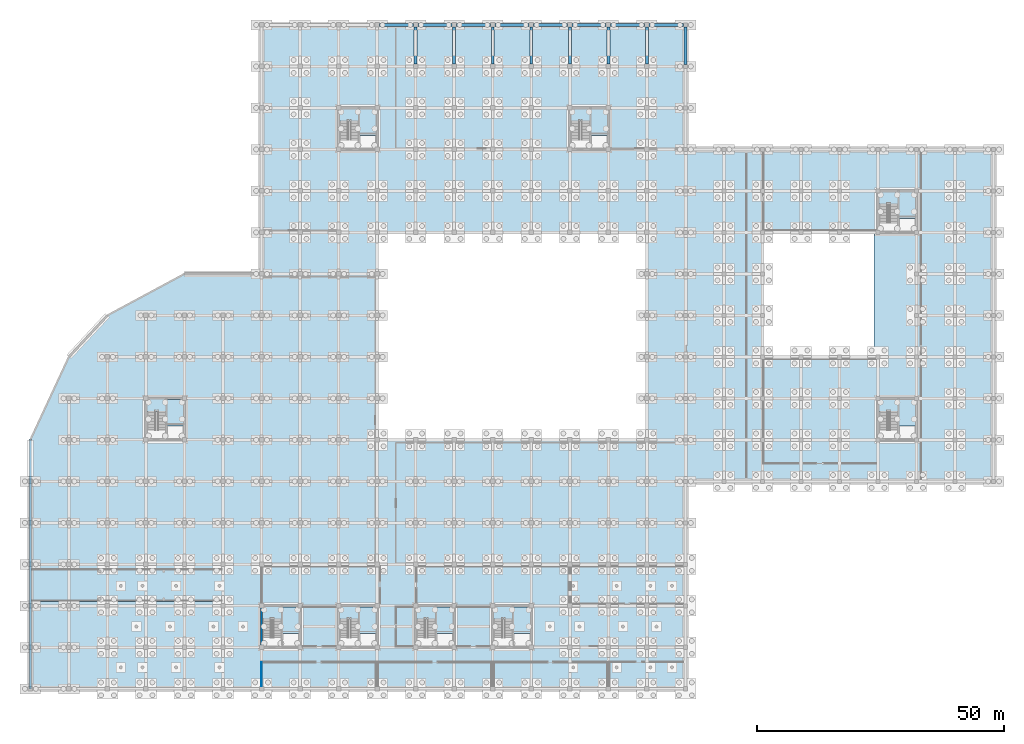
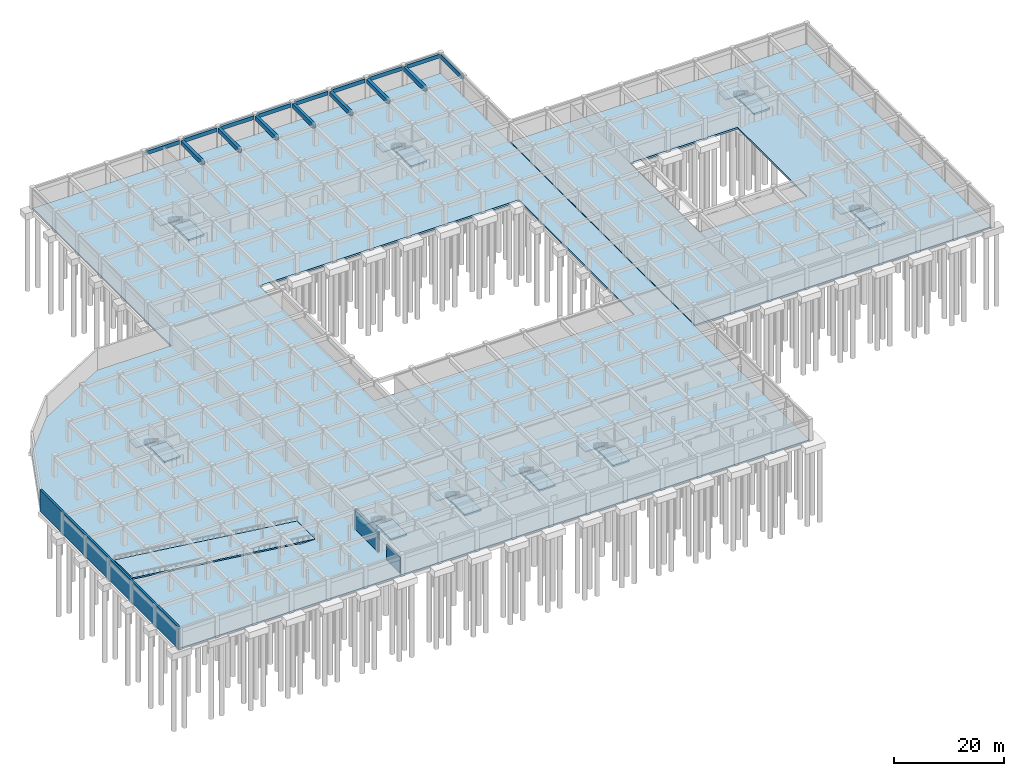
# One storey, part 16 of 31: 21 slabs, 16 beams, 3 walls, 9 elements without a shape of their own.
"""IFC4 building model written with IfcOpenShell, lengths in metres."""

from ifc_helpers import new_model, si_unit, direction, frame, frame_2d, origin, origin_2d, place, context, subcontext, project, spatial, polyline, rectangle, outline, extrude, material, layer, layer_set, material_profile, profile_set, type_object, element, aggregate, save


model = new_model("IFC4")

# Units and contexts
model_context = context("Model", 3, precision=1e-05, world=origin(), true_north=direction((0.0, 1.0)))
body_context = subcontext(model_context, "Body", "Model", "MODEL_VIEW")
ifc_project = project(units=[si_unit("LENGTHUNIT", "METRE"), si_unit("AREAUNIT", "SQUARE_METRE"), si_unit("VOLUMEUNIT", "CUBIC_METRE"), si_unit("PLANEANGLEUNIT", "RADIAN"), si_unit("MASSUNIT", "GRAM", prefix="KILO")], contexts=[model_context])

# Site, building, storey
site_placement = place(None, origin())
site = spatial("IfcSite", under=ifc_project, at=site_placement, CompositionType="ELEMENT")
building_placement = place(site_placement, origin())
building = spatial("IfcBuilding", under=site, at=building_placement, Name="Zizhar Promenade General Hospital", CompositionType="ELEMENT")
storey_placement = place(building_placement, frame((0.0, 0.0, -4.800048828125)))
storey = spatial("IfcBuildingStorey", under=building, at=storey_placement, Name="B1", CompositionType="ELEMENT", Elevation=-4.800048828125)

# Beams
ifc_material_1 = material(Name="Concrete C35/45", Category="concrete")
ifc_material_profile_1 = material_profile(ifc_material_1, rectangle(XDim=0.550048828125, YDim=0.85009765625, at=origin_2d()))
ifc_profile_set_1 = profile_set([ifc_material_profile_1], Name="Concrete C35/45")
beam_type_1 = type_object("IfcBeamType", Name="BM-RC-550x850", PredefinedType="BEAM", material=ifc_profile_set_1)
for number, where, z_axis, x_axis, name in (
    (1, (70.64990234375, 134.39990234375, 4.045166015625), (1.0, 0.0, 0.0), (0.0, 1.0, 0.0), "Grid Beam X B1 (9-16)"),
    (2, (78.449951171875, 134.39990234375, 4.045166015625), (1.0, 0.0, 0.0), (0.0, 1.0, 0.0), "Grid Beam X B1 (10-16)"),
):
    element("IfcBeam", number, at=place(storey_placement, frame(where, z_axis=z_axis, x_axis=x_axis)), inside=storey, type_object=beam_type_1, Name=name, PredefinedType="BEAM", context=body_context, shape_type="SweptSolid", body=[
        extrude(rectangle(XDim=0.550048828125, YDim=0.85009765625, at=origin_2d()), origin(), (0.0, 0.0, 1.0), 6.900146484375),
    ])
for number, where, z_axis, x_axis, name in (
    (3, (86.25, 134.39990234375, 4.045166015625), (1.0, 0.0, 0.0), (0.0, 1.0, 0.0), "Grid Beam X B1 (11-16)"),
    (4, (94.050048828125, 134.39990234375, 4.045166015625), (1.0, 0.0, 0.0), (0.0, 1.0, 0.0), "Grid Beam X B1 (12-16)"),
    (5, (101.85009765625, 134.39990234375, 4.045166015625), (1.0, 0.0, 0.0), (0.0, 1.0, 0.0), "Grid Beam X B1 (13-16)"),
):
    element("IfcBeam", number, at=place(storey_placement, frame(where, z_axis=z_axis, x_axis=x_axis)), inside=storey, type_object=beam_type_1, Name=name, PredefinedType="BEAM", context=body_context, shape_type="SweptSolid", body=[
        extrude(rectangle(XDim=0.550048828125, YDim=0.85009765625, at=origin_2d()), origin(), (0.0, 0.0, 1.0), 6.89990234375),
    ])
for number, where, z_axis, x_axis, name in (
    (6, (109.64990234375, 134.39990234375, 4.045166015625), (1.0, 0.0, 0.0), (0.0, 1.0, 0.0), "Grid Beam X B1 (14-16)"),
    (7, (117.449951171875, 134.39990234375, 4.045166015625), (1.0, 0.0, 0.0), (0.0, 1.0, 0.0), "Grid Beam X B1 (15-16)"),
):
    element("IfcBeam", number, at=place(storey_placement, frame(where, z_axis=z_axis, x_axis=x_axis)), inside=storey, type_object=beam_type_1, Name=name, PredefinedType="BEAM", context=body_context, shape_type="SweptSolid", body=[
        extrude(rectangle(XDim=0.550048828125, YDim=0.85009765625, at=origin_2d()), origin(), (0.0, 0.0, 1.0), 6.900146484375),
    ])
beam_1_placement = place(storey_placement, frame((125.25, 134.39990234375, 4.045166015625), z_axis=(1.0, 0.0, 0.0), x_axis=(0.0, 1.0, 0.0)))
element("IfcBeam", 8, at=beam_1_placement, inside=storey, type_object=beam_type_1, Name="Grid Beam X B1 (16-16)", PredefinedType="BEAM", context=body_context, shape_type="SweptSolid", body=[
    extrude(rectangle(XDim=0.550048828125, YDim=0.85009765625, at=origin_2d()), origin(), (0.0, 0.0, 1.0), 6.925048828125),
])
ifc_material_2 = material(Name="Concrete C35/45", Category="concrete")
ifc_material_profile_2 = material_profile(ifc_material_2, rectangle(XDim=0.60009765625, YDim=0.949951171875, at=origin_2d()))
ifc_profile_set_2 = profile_set([ifc_material_profile_2], Name="Concrete C35/45")
beam_type_2 = type_object("IfcBeamType", Name="BM-RC-600x950", PredefinedType="BEAM", material=ifc_profile_set_2)
for number, where, z_axis, x_axis, name in (
    (9, (78.0, 126.449951171875, 3.9951171875), (0.0, 1.0, 0.0), (-1.0, 0.0, 0.0), "Grid Beam Y B1 (10-15)"),
    (10, (85.800048828125, 126.449951171875, 3.9951171875), (0.0, 1.0, 0.0), (-1.0, 0.0, 0.0), "Grid Beam Y B1 (11-15)"),
    (11, (93.60009765625, 126.449951171875, 3.9951171875), (0.0, 1.0, 0.0), (-1.0, 0.0, 0.0), "Grid Beam Y B1 (12-15)"),
    (12, (101.39990234375, 126.449951171875, 3.9951171875), (0.0, 1.0, 0.0), (-1.0, 0.0, 0.0), "Grid Beam Y B1 (13-15)"),
    (13, (109.199951171875, 126.449951171875, 3.9951171875), (0.0, 1.0, 0.0), (-1.0, 0.0, 0.0), "Grid Beam Y B1 (14-15)"),
    (14, (117.0, 126.449951171875, 3.9951171875), (0.0, 1.0, 0.0), (-1.0, 0.0, 0.0), "Grid Beam Y B1 (15-15)"),
    (15, (124.800048828125, 126.449951171875, 3.9951171875), (0.0, 1.0, 0.0), (-1.0, 0.0, 0.0), "Grid Beam Y B1 (16-15)"),
):
    element("IfcBeam", number, at=place(storey_placement, frame(where, z_axis=z_axis, x_axis=x_axis)), inside=storey, type_object=beam_type_2, Name=name, PredefinedType="BEAM", context=body_context, shape_type="SweptSolid", body=[
        extrude(rectangle(XDim=0.60009765625, YDim=0.949951171875, at=origin_2d()), origin(), (0.0, 0.0, 1.0), 7.5),
    ])
beam_2_placement = place(storey_placement, frame((132.60009765625, 126.425048828125, 3.9951171875), z_axis=(0.0, 1.0, 0.0), x_axis=(-1.0, 0.0, 0.0)))
element("IfcBeam", 16, at=beam_2_placement, inside=storey, type_object=beam_type_2, Name="Grid Beam Y B1 (17-15)", PredefinedType="BEAM", context=body_context, shape_type="SweptSolid", body=[
    extrude(rectangle(XDim=0.60009765625, YDim=0.949951171875, at=origin_2d()), origin(), (0.0, 0.0, 1.0), 7.550048828125),
])

# Slabs
ifc_material_3 = material(Name="Concrete C30/37", Category="concrete")
ifc_layer_1 = layer(ifc_material_3, 0.39990234375)
ifc_layer_set_1 = layer_set([ifc_layer_1], Name="Concrete C30/37")
slab_type_1 = type_object("IfcSlabType", Name="SLB-BASE-400", PredefinedType="BASESLAB", material=ifc_layer_set_1)
slab_1_placement = place(storey_placement, frame((0.0, 0.0, -0.39990234375)))
element("IfcSlab", 17, at=slab_1_placement, inside=storey, type_object=slab_type_1, Name="Basement B1 Main Hospital Base Slab", PredefinedType="BASESLAB", context=body_context, shape_type="SweptSolid", body=[
    extrude(outline(polyline([(0.0, 0.0), (132.550048828125, 0.0), (132.550048828125, 134.39990234375), (46.800048828125, 134.39990234375), (46.800048828125, 84.0), (31.199951171875, 84.0), (15.60009765625, 75.60009765625), (7.800048828125, 67.199951171875), (0.0, 50.39990234375), (0.0, 0.0)]), holes=[polyline([(70.199951171875, 50.39990234375), (70.199951171875, 92.39990234375), (124.800048828125, 92.39990234375), (124.800048828125, 50.39990234375), (70.199951171875, 50.39990234375)]), polyline([(35.5, 17.64990234375), (35.5, 24.35009765625), (38.85009765625, 24.35009765625), (38.85009765625, 17.64990234375), (35.5, 17.64990234375)])]), origin(), (0.0, 0.0, 1.0), 0.39990234375),
])
slab_2_placement = place(storey_placement, frame((0.0, 0.0, -0.39990234375)))
element("IfcSlab", 18, at=slab_2_placement, inside=storey, type_object=slab_type_1, Name="Basement B1 Outpatient Wing Base Slab", PredefinedType="BASESLAB", context=body_context, shape_type="SweptSolid", body=[
    extrude(outline(polyline([(132.64990234375, 42.0), (195.0, 42.0), (195.0, 109.199951171875), (132.64990234375, 109.199951171875), (132.64990234375, 42.0)]), holes=[polyline([(148.199951171875, 67.199951171875), (148.199951171875, 92.39990234375), (170.800048828125, 92.39990234375), (170.800048828125, 67.199951171875), (148.199951171875, 67.199951171875)])]), origin(), (0.0, 0.0, 1.0), 0.39990234375),
])

# Stair, slab
ifc_material_4 = material(Name="Concrete C35/45", Category="concrete")
stair_type = type_object("IfcStairType", Name="STR-DOG-480", PredefinedType="HALF_TURN_STAIR", material=ifc_material_4)
stair_1_placement = place(storey_placement, origin())
stair_1 = element("IfcStair", 19, at=stair_1_placement, inside=storey, type_object=stair_type, Name="Exit Stair ST-01 (B1 to L00)", PredefinedType="HALF_TURN_STAIR")
ifc_material_5 = material(Name="Concrete C35/45", Category="concrete")
ifc_layer_2 = layer(ifc_material_5, 0.219970703125)
ifc_layer_set_2 = layer_set([ifc_layer_2], Name="Concrete C35/45")
slab_type_2 = type_object("IfcSlabType", Name="SLB-LAND-480", PredefinedType="LANDING", material=ifc_layer_set_2)
slab_3_placement = place(storey_placement, frame((0.0, 0.0, 2.179931640625)))
slab_3 = element("IfcSlab", 20, at=slab_3_placement, type_object=slab_type_2, Name="ST-01A landing 1", PredefinedType="LANDING", context=body_context, shape_type="SweptSolid", body=[
    extrude(outline(polyline([(23.39990234375, 56.169921875), (27.550048828125, 56.169921875), (27.550048828125, 58.800048828125), (23.39990234375, 58.800048828125), (23.39990234375, 56.169921875)])), origin(), (0.0, 0.0, 1.0), 0.22021484375),
])
aggregate(stair_1, [slab_3])

stair_2_placement = place(storey_placement, origin())
stair_2 = element("IfcStair", 21, at=stair_2_placement, inside=storey, type_object=stair_type, Name="Exit Stair ST-02 (B1 to L00)", PredefinedType="HALF_TURN_STAIR")
slab_4_placement = place(storey_placement, frame((0.0, 0.0, 2.179931640625)))
slab_4 = element("IfcSlab", 22, at=slab_4_placement, type_object=slab_type_2, Name="ST-02A landing 1", PredefinedType="LANDING", context=body_context, shape_type="SweptSolid", body=[
    extrude(outline(polyline([(46.800048828125, 14.169921875), (50.949951171875, 14.169921875), (50.949951171875, 16.800048828125), (46.800048828125, 16.800048828125), (46.800048828125, 14.169921875)])), origin(), (0.0, 0.0, 1.0), 0.22021484375),
])
aggregate(stair_2, [slab_4])

stair_3_placement = place(storey_placement, origin())
stair_3 = element("IfcStair", 23, at=stair_3_placement, inside=storey, type_object=stair_type, Name="Exit Stair ST-03 (B1 to L00)", PredefinedType="HALF_TURN_STAIR")
slab_5_placement = place(storey_placement, frame((0.0, 0.0, 2.179931640625)))
slab_5 = element("IfcSlab", 24, at=slab_5_placement, type_object=slab_type_2, Name="ST-03A landing 1", PredefinedType="LANDING", context=body_context, shape_type="SweptSolid", body=[
    extrude(outline(polyline([(62.39990234375, 14.169921875), (66.550048828125, 14.169921875), (66.550048828125, 16.800048828125), (62.39990234375, 16.800048828125), (62.39990234375, 14.169921875)])), origin(), (0.0, 0.0, 1.0), 0.22021484375),
])
aggregate(stair_3, [slab_5])

stair_4_placement = place(storey_placement, origin())
stair_4 = element("IfcStair", 25, at=stair_4_placement, inside=storey, type_object=stair_type, Name="Exit Stair ST-04 (B1 to L00)", PredefinedType="HALF_TURN_STAIR")
slab_6_placement = place(storey_placement, frame((0.0, 0.0, 2.179931640625)))
slab_6 = element("IfcSlab", 26, at=slab_6_placement, type_object=slab_type_2, Name="ST-04A landing 1", PredefinedType="LANDING", context=body_context, shape_type="SweptSolid", body=[
    extrude(outline(polyline([(78.0, 14.169921875), (82.14990234375, 14.169921875), (82.14990234375, 16.800048828125), (78.0, 16.800048828125), (78.0, 14.169921875)])), origin(), (0.0, 0.0, 1.0), 0.22021484375),
])
aggregate(stair_4, [slab_6])

stair_5_placement = place(storey_placement, origin())
stair_5 = element("IfcStair", 27, at=stair_5_placement, inside=storey, type_object=stair_type, Name="Exit Stair ST-05 (B1 to L00)", PredefinedType="HALF_TURN_STAIR")
slab_7_placement = place(storey_placement, frame((0.0, 0.0, 2.179931640625)))
slab_7 = element("IfcSlab", 28, at=slab_7_placement, type_object=slab_type_2, Name="ST-05A landing 1", PredefinedType="LANDING", context=body_context, shape_type="SweptSolid", body=[
    extrude(outline(polyline([(93.60009765625, 14.169921875), (97.75, 14.169921875), (97.75, 16.800048828125), (93.60009765625, 16.800048828125), (93.60009765625, 14.169921875)])), origin(), (0.0, 0.0, 1.0), 0.22021484375),
])
aggregate(stair_5, [slab_7])

stair_6_placement = place(storey_placement, origin())
stair_6 = element("IfcStair", 29, at=stair_6_placement, inside=storey, type_object=stair_type, Name="Exit Stair ST-06 (B1 to L00)", PredefinedType="HALF_TURN_STAIR")
slab_8_placement = place(storey_placement, frame((0.0, 0.0, 2.179931640625)))
slab_8 = element("IfcSlab", 30, at=slab_8_placement, type_object=slab_type_2, Name="ST-06A landing 1", PredefinedType="LANDING", context=body_context, shape_type="SweptSolid", body=[
    extrude(outline(polyline([(62.39990234375, 114.969970703125), (66.550048828125, 114.969970703125), (66.550048828125, 117.60009765625), (62.39990234375, 117.60009765625), (62.39990234375, 114.969970703125)])), origin(), (0.0, 0.0, 1.0), 0.22021484375),
])
aggregate(stair_6, [slab_8])

stair_7_placement = place(storey_placement, origin())
stair_7 = element("IfcStair", 31, at=stair_7_placement, inside=storey, type_object=stair_type, Name="Exit Stair ST-07 (B1 to L00)", PredefinedType="HALF_TURN_STAIR")
slab_9_placement = place(storey_placement, frame((0.0, 0.0, 2.179931640625)))
slab_9 = element("IfcSlab", 32, at=slab_9_placement, type_object=slab_type_2, Name="ST-07A landing 1", PredefinedType="LANDING", context=body_context, shape_type="SweptSolid", body=[
    extrude(outline(polyline([(109.199951171875, 114.969970703125), (113.35009765625, 114.969970703125), (113.35009765625, 117.60009765625), (109.199951171875, 117.60009765625), (109.199951171875, 114.969970703125)])), origin(), (0.0, 0.0, 1.0), 0.22021484375),
])
aggregate(stair_7, [slab_9])

stair_8_placement = place(storey_placement, origin())
stair_8 = element("IfcStair", 33, at=stair_8_placement, inside=storey, type_object=stair_type, Name="Exit Stair ST-08 (B1 to L00)", PredefinedType="HALF_TURN_STAIR")
slab_10_placement = place(storey_placement, frame((0.0, 0.0, 2.179931640625)))
slab_10 = element("IfcSlab", 34, at=slab_10_placement, type_object=slab_type_2, Name="ST-08A landing 1", PredefinedType="LANDING", context=body_context, shape_type="SweptSolid", body=[
    extrude(outline(polyline([(171.60009765625, 98.169921875), (175.75, 98.169921875), (175.75, 100.800048828125), (171.60009765625, 100.800048828125), (171.60009765625, 98.169921875)])), origin(), (0.0, 0.0, 1.0), 0.22021484375),
])
aggregate(stair_8, [slab_10])

stair_9_placement = place(storey_placement, origin())
stair_9 = element("IfcStair", 35, at=stair_9_placement, inside=storey, type_object=stair_type, Name="Exit Stair ST-09 (B1 to L00)", PredefinedType="HALF_TURN_STAIR")
slab_11_placement = place(storey_placement, frame((0.0, 0.0, 2.179931640625)))
slab_11 = element("IfcSlab", 36, at=slab_11_placement, type_object=slab_type_2, Name="ST-09A landing 1", PredefinedType="LANDING", context=body_context, shape_type="SweptSolid", body=[
    extrude(outline(polyline([(171.60009765625, 56.169921875), (175.75, 56.169921875), (175.75, 58.800048828125), (171.60009765625, 58.800048828125), (171.60009765625, 56.169921875)])), origin(), (0.0, 0.0, 1.0), 0.22021484375),
])
aggregate(stair_9, [slab_11])

# Slabs
ifc_material_6 = material(Name="Concrete C35/45", Category="concrete")
ifc_layer_3 = layer(ifc_material_6, 0.35009765625)
ifc_layer_set_3 = layer_set([ifc_layer_3], Name="Concrete C35/45")
slab_type_3 = type_object("IfcSlabType", Name="SLB-PIT-350", PredefinedType="BASESLAB", material=ifc_layer_set_3)
slab_12_placement = place(storey_placement, frame((0.0, 0.0, -0.75)))
element("IfcSlab", 37, at=slab_12_placement, inside=storey, type_object=slab_type_3, Name="Core C1 Lift Pit Base Slab", PredefinedType="BASESLAB", context=body_context, shape_type="SweptSolid", body=[
    extrude(outline(polyline([(27.60009765625, 53.199951171875), (31.0, 53.199951171875), (31.0, 58.60009765625), (27.60009765625, 58.60009765625), (27.60009765625, 53.199951171875)])), origin(), (0.0, 0.0, 1.0), 0.35009765625),
])
slab_13_placement = place(storey_placement, frame((0.0, 0.0, -0.75)))
element("IfcSlab", 38, at=slab_13_placement, inside=storey, type_object=slab_type_3, Name="Core C2 Lift Pit Base Slab", PredefinedType="BASESLAB", context=body_context, shape_type="SweptSolid", body=[
    extrude(outline(polyline([(51.0, 11.199951171875), (54.39990234375, 11.199951171875), (54.39990234375, 16.60009765625), (51.0, 16.60009765625), (51.0, 11.199951171875)])), origin(), (0.0, 0.0, 1.0), 0.35009765625),
])
slab_14_placement = place(storey_placement, frame((0.0, 0.0, -0.75)))
element("IfcSlab", 39, at=slab_14_placement, inside=storey, type_object=slab_type_3, Name="Core C3 Lift Pit Base Slab", PredefinedType="BASESLAB", context=body_context, shape_type="SweptSolid", body=[
    extrude(outline(polyline([(66.60009765625, 11.199951171875), (70.0, 11.199951171875), (70.0, 16.60009765625), (66.60009765625, 16.60009765625), (66.60009765625, 11.199951171875)])), origin(), (0.0, 0.0, 1.0), 0.35009765625),
])
slab_15_placement = place(storey_placement, frame((0.0, 0.0, -0.75)))
element("IfcSlab", 40, at=slab_15_placement, inside=storey, type_object=slab_type_3, Name="Core C4 Lift Pit Base Slab", PredefinedType="BASESLAB", context=body_context, shape_type="SweptSolid", body=[
    extrude(outline(polyline([(82.199951171875, 11.199951171875), (85.60009765625, 11.199951171875), (85.60009765625, 16.60009765625), (82.199951171875, 16.60009765625), (82.199951171875, 11.199951171875)])), origin(), (0.0, 0.0, 1.0), 0.35009765625),
])
slab_16_placement = place(storey_placement, frame((0.0, 0.0, -0.75)))
element("IfcSlab", 41, at=slab_16_placement, inside=storey, type_object=slab_type_3, Name="Core C5 Lift Pit Base Slab", PredefinedType="BASESLAB", context=body_context, shape_type="SweptSolid", body=[
    extrude(outline(polyline([(97.800048828125, 11.199951171875), (101.199951171875, 11.199951171875), (101.199951171875, 16.60009765625), (97.800048828125, 16.60009765625), (97.800048828125, 11.199951171875)])), origin(), (0.0, 0.0, 1.0), 0.35009765625),
])
slab_17_placement = place(storey_placement, frame((0.0, 0.0, -0.75)))
element("IfcSlab", 42, at=slab_17_placement, inside=storey, type_object=slab_type_3, Name="Core C6 Lift Pit Base Slab", PredefinedType="BASESLAB", context=body_context, shape_type="SweptSolid", body=[
    extrude(outline(polyline([(66.60009765625, 112.0), (70.0, 112.0), (70.0, 117.39990234375), (66.60009765625, 117.39990234375), (66.60009765625, 112.0)])), origin(), (0.0, 0.0, 1.0), 0.35009765625),
])
slab_18_placement = place(storey_placement, frame((0.0, 0.0, -0.75)))
element("IfcSlab", 43, at=slab_18_placement, inside=storey, type_object=slab_type_3, Name="Core C7 Lift Pit Base Slab", PredefinedType="BASESLAB", context=body_context, shape_type="SweptSolid", body=[
    extrude(outline(polyline([(113.39990234375, 112.0), (116.800048828125, 112.0), (116.800048828125, 117.39990234375), (113.39990234375, 117.39990234375), (113.39990234375, 112.0)])), origin(), (0.0, 0.0, 1.0), 0.35009765625),
])
slab_19_placement = place(storey_placement, frame((0.0, 0.0, -0.75)))
element("IfcSlab", 44, at=slab_19_placement, inside=storey, type_object=slab_type_3, Name="Core C8 Lift Pit Base Slab", PredefinedType="BASESLAB", context=body_context, shape_type="SweptSolid", body=[
    extrude(outline(polyline([(175.800048828125, 95.199951171875), (179.199951171875, 95.199951171875), (179.199951171875, 100.60009765625), (175.800048828125, 100.60009765625), (175.800048828125, 95.199951171875)])), origin(), (0.0, 0.0, 1.0), 0.35009765625),
])
slab_20_placement = place(storey_placement, frame((0.0, 0.0, -0.75)))
element("IfcSlab", 45, at=slab_20_placement, inside=storey, type_object=slab_type_3, Name="Core C9 Lift Pit Base Slab", PredefinedType="BASESLAB", context=body_context, shape_type="SweptSolid", body=[
    extrude(outline(polyline([(175.800048828125, 53.199951171875), (179.199951171875, 53.199951171875), (179.199951171875, 58.60009765625), (175.800048828125, 58.60009765625), (175.800048828125, 53.199951171875)])), origin(), (0.0, 0.0, 1.0), 0.35009765625),
])
ifc_material_7 = material(Name="Concrete C35/45", Category="concrete")
ifc_layer_4 = layer(ifc_material_7, 0.300048828125)
ifc_layer_set_4 = layer_set([ifc_layer_4], Name="Concrete C35/45")
slab_type_4 = type_object("IfcSlabType", Name="SLB-RAMP-300", PredefinedType="USERDEFINED", material=ifc_layer_set_4)
slab_21_placement = place(storey_placement, frame((0.39990234375, 17.699951171875, 4.800048828125), z_axis=(0.124035511046, 0.0, 0.992277779656), x_axis=(0.992277779656, 0.0, -0.124035511046)))
element("IfcSlab", 46, at=slab_21_placement, inside=storey, type_object=slab_type_4, Name="Basement Two-Way Vehicle Ramp Slab", ObjectType="APPROACH_SLAB", PredefinedType="USERDEFINED", context=body_context, shape_type="SweptSolid", body=[
    extrude(outline(polyline([(0.0, 0.0), (38.69898860143301, 0.0), (38.69898860143301, 6.60009765625), (0.0, 6.60009765625), (0.0, 0.0)])), origin(), (0.0, 0.0, -1.0), 0.300048828125),
])

# Walls
ifc_material_8 = material(Name="Chemical-resistant laboratory partition")
ifc_layer_5 = layer(ifc_material_8, 0.135009765625)
ifc_layer_set_5 = layer_set([ifc_layer_5], Name="Chemical-resistant laboratory partition")
wall_type_1 = type_object("IfcWallType", Name="IW-LAB-135", PredefinedType="PARTITIONING", material=ifc_layer_set_5)
wall_1_placement = place(storey_placement, frame((46.800048828125, 0.5, 0.0), z_axis=(0.0, 0.0, 1.0), x_axis=(0.0, 1.0, 0.0)))
element("IfcWall", 47, at=wall_1_placement, inside=storey, type_object=wall_type_1, Name="Central Sterile Supply Decontamination W Partition", PredefinedType="PARTITIONING", context=body_context, shape_type="SweptSolid", body=[
    extrude(rectangle(XDim=4.89990234375, YDim=0.135009765625, at=frame_2d((2.449951171875, 0.0))), origin(), (0.0, 0.0, 1.0), 3.51513671875),
])
ifc_material_9 = material(Name="Concrete C35/45", Category="concrete")
ifc_layer_6 = layer(ifc_material_9, 0.39990234375)
ifc_layer_set_6 = layer_set([ifc_layer_6], Name="Concrete C35/45")
wall_type_2 = type_object("IfcWallType", Name="WL-BSMT-400", PredefinedType="SOLIDWALL", material=ifc_layer_set_6)
wall_2_placement = place(storey_placement, frame((0.0, 50.39990234375, 0.0), z_axis=(0.0, 0.0, 1.0), x_axis=(0.0, -1.0, 0.0)))
element("IfcWall", 48, at=wall_2_placement, inside=storey, type_object=wall_type_2, Name="Basement Retaining Wall B13", PredefinedType="SOLIDWALL", context=body_context, shape_type="SweptSolid", body=[
    extrude(rectangle(XDim=50.39990234375, YDim=0.39990234375, at=frame_2d((25.199951171875, 0.0))), origin(), (0.0, 0.0, 1.0), 4.800048828125),
])
ifc_material_10 = material(Name="Concrete C40/50", Category="concrete")
ifc_layer_7 = layer(ifc_material_10, 0.35009765625)
ifc_layer_set_7 = layer_set([ifc_layer_7], Name="Concrete C40/50")
wall_type_3 = type_object("IfcWallType", Name="WL-CORE-350", PredefinedType="SHEAR", material=ifc_layer_set_7)
wall_3_placement = place(storey_placement, frame((46.800048828125, 8.39990234375, 0.0), z_axis=(0.0, 0.0, 1.0), x_axis=(0.0, 1.0, 0.0)))
element("IfcWall", 49, at=wall_3_placement, inside=storey, type_object=wall_type_3, Name="Core C2 West Shear Wall B1", PredefinedType="SHEAR", context=body_context, shape_type="SweptSolid", body=[
    extrude(rectangle(XDim=8.400146484375, YDim=0.35009765625, at=frame_2d((4.2001953125, 0.0))), origin(), (0.0, 0.0, 1.0), 4.400146484375),
])

save(model, "model.ifc")
